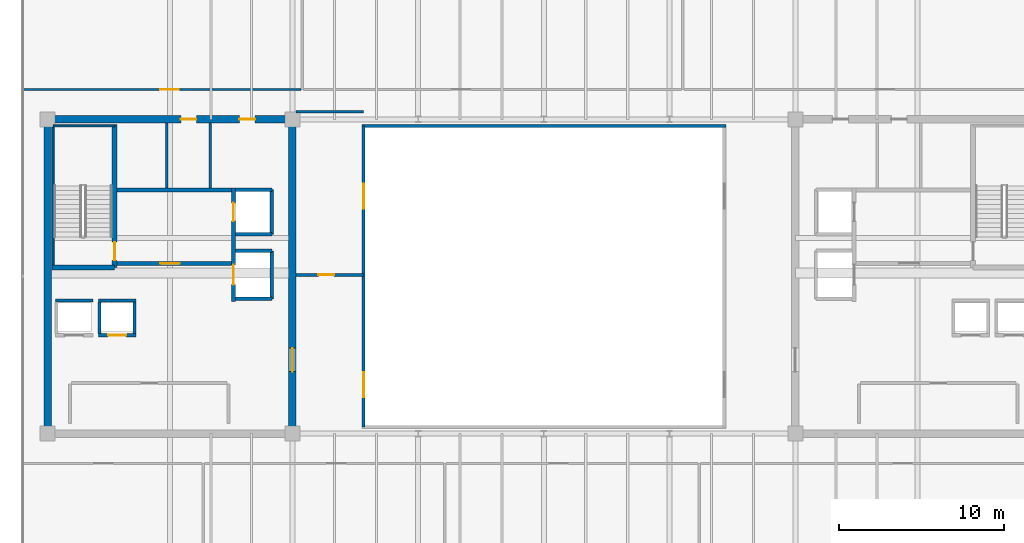
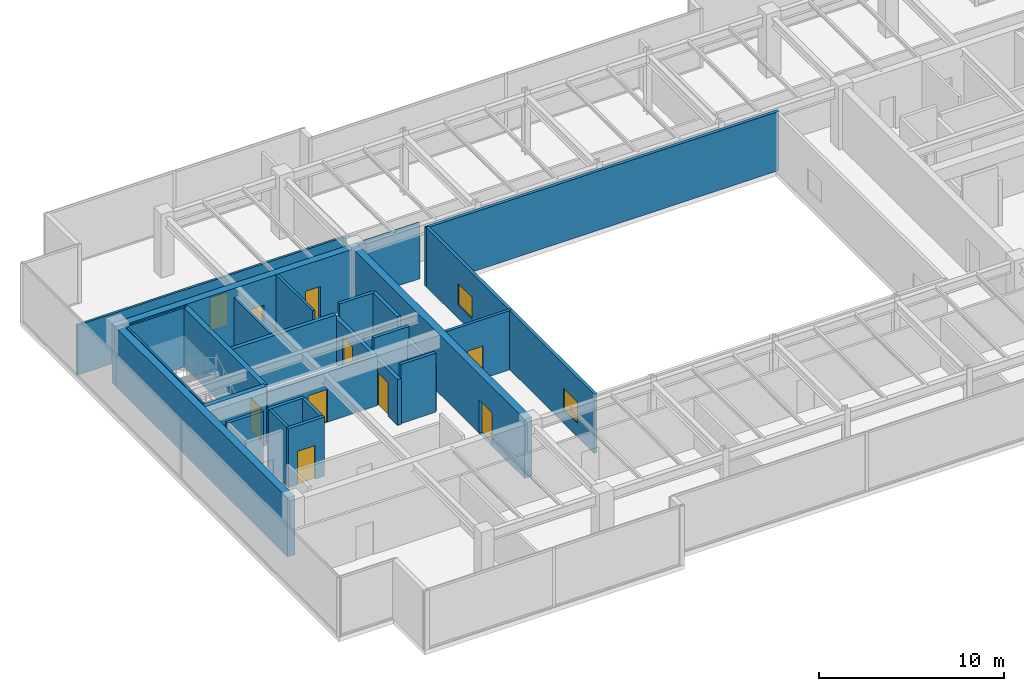
# One storey, part 27 of 31: 28 walls, 10 doors, 2 windows, 12 openings.
"""IFC4 building model written with IfcOpenShell, lengths in metres."""

from ifc_helpers import new_model, si_unit, direction, frame, frame_2d, origin, place, context, subcontext, project, spatial, rectangle, extrude, source, transform, mapped, material, layer, layer_set, type_object, type_shapes, element, fill, save


model = new_model("IFC4")

# Units and contexts
model_context = context("Model", 3, precision=1e-05, world=origin(), true_north=direction((0.0, 1.0)))
body_context = subcontext(model_context, "Body", "Model", "MODEL_VIEW")
ifc_project = project(units=[si_unit("LENGTHUNIT", "METRE"), si_unit("AREAUNIT", "SQUARE_METRE"), si_unit("VOLUMEUNIT", "CUBIC_METRE"), si_unit("PLANEANGLEUNIT", "RADIAN"), si_unit("MASSUNIT", "GRAM", prefix="KILO")], contexts=[model_context])

# Site, building, storey
site_placement = place(None, origin())
site = spatial("IfcSite", under=ifc_project, at=site_placement, CompositionType="ELEMENT")
building_placement = place(site_placement, origin())
building = spatial("IfcBuilding", under=site, at=building_placement, Name="Haelvirn Gate Laboratories", CompositionType="ELEMENT")
storey_placement = place(building_placement, frame((0.0, 0.0, 318.60009765625)))
storey = spatial("IfcBuildingStorey", under=building, at=storey_placement, Name="L76", CompositionType="ELEMENT", Elevation=318.60009765625)

# Wall
ifc_material_1 = material(Name="Fire-rated acoustic gypsum board partition", Category="gypsum")
ifc_layer_1 = layer(ifc_material_1, 0.175048828125, Name="IW-ACOUST-180")
ifc_layer_set_1 = layer_set([ifc_layer_1], Name="Fire-rated acoustic gypsum board partition")
wall_type_1 = type_object("IfcWallType", Name="IW-ACOUST-180", PredefinedType="PARTITIONING", material=ifc_layer_set_1)
wall_1_placement = place(storey_placement, frame((22.425048828125, 34.260009765625, 0.0), z_axis=(0.0, 0.0, 1.0), x_axis=(1.0, 0.0, 0.0)))
element("IfcWall", 1, at=wall_1_placement, inside=storey, type_object=wall_type_1, Name="L76 Interior Wall IW-L76-WPOD-N", PredefinedType="PARTITIONING", context=body_context, shape_type="SweptSolid", body=[
    extrude(rectangle(XDim=4.074951171875, YDim=0.175048828125, at=frame_2d((2.03759765625, 0.0))), origin(), (0.0, 0.0, 1.0), 3.635009765625),
])

# Wall, opening, door
wall_2_placement = place(storey_placement, frame((22.425048828125, 24.39990234375, 0.0), z_axis=(0.0, 0.0, 1.0), x_axis=(1.0, 0.0, 0.0)))
wall_2 = element("IfcWall", 2, at=wall_2_placement, inside=storey, type_object=wall_type_1, Name="L76 Interior Wall IW-L76-WPOD-S", PredefinedType="PARTITIONING", context=body_context, shape_type="SweptSolid", body=[
    extrude(rectangle(XDim=4.074951171875, YDim=0.175048828125, at=frame_2d((2.03759765625, 0.0))), origin(), (0.0, 0.0, 1.0), 3.89990234375),
])
opening_1_placement = place(wall_2_placement, frame((1.35009765625, 0.0, 0.0)))
opening_1 = element("IfcOpeningElement", 3, at=opening_1_placement, cuts=wall_2, Name="Opening FD4", PredefinedType="OPENING", context=body_context, shape_type="SweptSolid", body=[
    extrude(rectangle(XDim=0.949951171875, YDim=2.14990234375, at=frame_2d((0.47509765625, 1.074951171875))), frame((0.0, 0.09765625, 0.0), z_axis=(0.0, -1.0, 0.0), x_axis=(1.0, 0.0, 0.0)), (0.0, 0.0, 1.0), 0.195068359375),
])
ifc_material_2 = material(Name="Fire-rated steel SM355 core service door", Category="steel")
door_type_1 = type_object("IfcDoorType", Name="DR-FD-950", OperationType="NOTDEFINED", PredefinedType="DOOR", material=ifc_material_2)
shared_shape_1 = source(origin(), body_context, "Body", "SweptSolid", [
    extrude(rectangle(XDim=0.949951171875, YDim=2.14990234375, at=frame_2d((0.47509765625, 1.074951171875))), frame((0.0, 0.02490234375, 0.0), z_axis=(0.0, -1.0, 0.0), x_axis=(1.0, 0.0, 0.0)), (0.0, 0.0, 1.0), 0.050048828125),
])
type_shapes(door_type_1, [shared_shape_1])
door_1_placement = place(opening_1_placement, origin())
door_1 = element("IfcDoor", 4, at=door_1_placement, inside=storey, type_object=door_type_1, Name="L76 High-Zone Computational Suite Door", OperationType="SINGLE_SWING_RIGHT", OverallHeight=2.14990234375, OverallWidth=0.949951171875, PredefinedType="DOOR", context=body_context, shape_type="MappedRepresentation", body=[
    mapped(shared_shape_1, transform((0.0, 0.0, 0.0), scale=1.0)),
])
fill(opening_1, door_1)

# Wall, openings, windows
ifc_material_3 = material(Name="Tempered fire-rated borosilicate glass & anodised aluminium", Category="aluminium")
ifc_layer_2 = layer(ifc_material_3, 0.195068359375, Name="IW-GLAZ-200")
ifc_layer_set_2 = layer_set([ifc_layer_2], Name="Tempered fire-rated borosilicate glass & anodised aluminium")
wall_type_2 = type_object("IfcWallType", Name="IW-GLAZ-200", PredefinedType="SOLIDWALL", material=ifc_layer_set_2)
wall_3_placement = place(storey_placement, frame((26.5, 15.199951171875, 0.0), z_axis=(0.0, 0.0, 1.0), x_axis=(0.0, 1.0, 0.0)))
wall_3 = element("IfcWall", 5, at=wall_3_placement, inside=storey, type_object=wall_type_2, Name="L76 Interior Wall IW-L76-ATRIUM-W", PredefinedType="SOLIDWALL", context=body_context, shape_type="SweptSolid", body=[
    extrude(rectangle(XDim=18.199951171875, YDim=0.195068359375, at=frame_2d((9.10009765625, 0.0))), origin(), (0.0, 0.0, 1.0), 3.89990234375),
])
opening_2_placement = place(wall_3_placement, frame((1.800048828125, 0.0, 0.89990234375)))
opening_2 = element("IfcOpeningElement", 6, at=opening_2_placement, cuts=wall_3, Name="Opening W5", PredefinedType="OPENING", context=body_context, shape_type="SweptSolid", body=[
    extrude(rectangle(XDim=1.5, YDim=1.39990234375, at=frame_2d((0.75, 0.699951171875))), frame((0.0, 0.107421875, 0.0), z_axis=(0.0, -1.0, 0.0), x_axis=(1.0, 0.0, 0.0)), (0.0, 0.0, 1.0), 0.215087890625),
])
opening_3_placement = place(wall_3_placement, frame((13.199951171875, 0.0, 0.89990234375)))
opening_3 = element("IfcOpeningElement", 7, at=opening_3_placement, cuts=wall_3, Name="Opening W5", PredefinedType="OPENING", context=body_context, shape_type="SweptSolid", body=[
    extrude(rectangle(XDim=1.5, YDim=1.39990234375, at=frame_2d((0.75, 0.699951171875))), frame((0.0, 0.107421875, 0.0), z_axis=(0.0, -1.0, 0.0), x_axis=(1.0, 0.0, 0.0)), (0.0, 0.0, 1.0), 0.215087890625),
])
ifc_material_4 = material(Name="Fire-rated EI 120 borosilicate atrium vision glazing", Category="glass")
window_type = type_object("IfcWindowType", Name="WN-ATR-1500", PartitioningType="SINGLE_PANEL", PredefinedType="WINDOW", material=ifc_material_4)
shared_shape_2 = source(origin(), body_context, "Body", "SweptSolid", [
    extrude(rectangle(XDim=1.5, YDim=1.39990234375, at=frame_2d((0.75, 0.699951171875))), frame((0.0, 0.030029296875, 0.0), z_axis=(0.0, -1.0, 0.0), x_axis=(1.0, 0.0, 0.0)), (0.0, 0.0, 1.0), 0.06005859375),
])
type_shapes(window_type, [shared_shape_2])
window_1_placement = place(opening_2_placement, origin())
window_1 = element("IfcWindow", 8, at=window_1_placement, inside=storey, type_object=window_type, Name="L76 Atrium Observation Window 1", OverallHeight=1.39990234375, OverallWidth=1.5, PartitioningType="SINGLE_PANEL", PredefinedType="WINDOW", context=body_context, shape_type="MappedRepresentation", body=[
    mapped(shared_shape_2, transform((0.0, 0.0, 0.0), scale=1.0)),
])
fill(opening_2, window_1)
window_2_placement = place(opening_3_placement, origin())
window_2 = element("IfcWindow", 9, at=window_2_placement, inside=storey, type_object=window_type, Name="L76 Atrium Observation Window 2", OverallHeight=1.39990234375, OverallWidth=1.5, PartitioningType="SINGLE_PANEL", PredefinedType="WINDOW", context=body_context, shape_type="MappedRepresentation", body=[
    mapped(shared_shape_2, transform((0.0, 0.0, 0.0), scale=1.0)),
])
fill(opening_3, window_2)

# Wall
wall_4_placement = place(storey_placement, frame((26.39990234375, 33.39990234375, 0.0), z_axis=(0.0, 0.0, 1.0), x_axis=(1.0, 0.0, 0.0)))
element("IfcWall", 10, at=wall_4_placement, inside=storey, type_object=wall_type_2, Name="L76 Interior Wall IW-L76-ATRIUM-N", PredefinedType="SOLIDWALL", context=body_context, shape_type="SweptSolid", body=[
    extrude(rectangle(XDim=22.0, YDim=0.195068359375, at=frame_2d((11.0, 0.0))), origin(), (0.0, 0.0, 1.0), 3.89990234375),
])

# Wall, opening, door
ifc_material_5 = material(Name="Acoustic mineral-wool gypsum board partition", Category="gypsum")
ifc_layer_3 = layer(ifc_material_5, 0.139892578125, Name="IW-PART-140")
ifc_layer_set_3 = layer_set([ifc_layer_3], Name="Acoustic mineral-wool gypsum board partition")
wall_type_3 = type_object("IfcWallType", Name="IW-PART-140", PredefinedType="PARTITIONING", material=ifc_layer_set_3)
wall_5_placement = place(storey_placement, frame((5.909912109375, 35.60498046875, 0.0), z_axis=(0.0, 0.0, 1.0), x_axis=(1.0, 0.0, 0.0)))
wall_5 = element("IfcWall", 11, at=wall_5_placement, inside=storey, type_object=wall_type_3, Name="L76 Interior Wall IW-L76-NCORR-01", PredefinedType="PARTITIONING", context=body_context, shape_type="SweptSolid", body=[
    extrude(rectangle(XDim=16.81005859375, YDim=0.139892578125, at=frame_2d((8.405029296875, 0.0))), origin(), (0.0, 0.0, 1.0), 3.296875),
])
opening_4_placement = place(wall_5_placement, frame((8.305419921875, 0.0, 0.0)))
opening_4 = element("IfcOpeningElement", 12, at=opening_4_placement, cuts=wall_5, Name="Opening D1", PredefinedType="OPENING", context=body_context, shape_type="SweptSolid", body=[
    extrude(rectangle(XDim=1.10009765625, YDim=2.179931640625, at=frame_2d((0.550048828125, 1.08984375))), frame((0.0, 0.080078125, 0.0), z_axis=(0.0, -1.0, 0.0), x_axis=(1.0, 0.0, 0.0)), (0.0, 0.0, 1.0), 0.159912109375),
])
ifc_material_6 = material(Name="Vision-panel acoustic solid-core timber lab door", Category="wood")
door_type_2 = type_object("IfcDoorType", Name="DR-LAB-1100", OperationType="NOTDEFINED", PredefinedType="DOOR", material=ifc_material_6)
shared_shape_3 = source(origin(), body_context, "Body", "SweptSolid", [
    extrude(rectangle(XDim=1.10009765625, YDim=2.179931640625, at=frame_2d((0.550048828125, 1.08984375))), frame((0.0, 0.02490234375, 0.0), z_axis=(0.0, -1.0, 0.0), x_axis=(1.0, 0.0, 0.0)), (0.0, 0.0, 1.0), 0.050048828125),
])
type_shapes(door_type_2, [shared_shape_3])
door_2_placement = place(opening_4_placement, origin())
door_2 = element("IfcDoor", 13, at=door_2_placement, inside=storey, type_object=door_type_2, Name="L76 Peer-Review Seminar Room Door N1", OperationType="SINGLE_SWING_RIGHT", OverallHeight=2.179931640625, OverallWidth=1.10009765625, PredefinedType="DOOR", context=body_context, shape_type="MappedRepresentation", body=[
    mapped(shared_shape_3, transform((0.0, 0.0, 0.0), scale=1.0)),
])
fill(opening_4, door_2)

# Walls
ifc_material_7 = material(Name="Cement-board restroom plumbing chase wall", Category="gypsum")
ifc_layer_4 = layer(ifc_material_7, 0.155029296875, Name="IW-PLUMB-160")
ifc_layer_set_4 = layer_set([ifc_layer_4], Name="Cement-board restroom plumbing chase wall")
wall_type_4 = type_object("IfcWallType", Name="IW-PLUMB-160", PredefinedType="PLUMBINGWALL", material=ifc_layer_set_4)
wall_6_placement = place(storey_placement, frame((14.610107421875, 29.64990234375, 0.0), z_axis=(0.0, 0.0, 1.0), x_axis=(0.0, 1.0, 0.0)))
element("IfcWall", 14, at=wall_6_placement, inside=storey, type_object=wall_type_4, Name="L76 Interior Wall IW-L76-W-CDIV-0", PredefinedType="PLUMBINGWALL", context=body_context, shape_type="SweptSolid", body=[
    extrude(rectangle(XDim=3.93017578125, YDim=0.155029296875, at=frame_2d((1.965087890625, 0.0))), origin(), (0.0, 0.0, 1.0), 3.296875),
])
wall_7_placement = place(storey_placement, frame((17.239990234375, 29.64990234375, 0.0), z_axis=(0.0, 0.0, 1.0), x_axis=(0.0, 1.0, 0.0)))
element("IfcWall", 15, at=wall_7_placement, inside=storey, type_object=wall_type_4, Name="L76 Interior Wall IW-L76-W-CDIV-1", PredefinedType="PLUMBINGWALL", context=body_context, shape_type="SweptSolid", body=[
    extrude(rectangle(XDim=3.93017578125, YDim=0.155029296875, at=frame_2d((1.965087890625, 0.0))), origin(), (0.0, 0.0, 1.0), 3.89990234375),
])
ifc_material_8 = material(Name="Concrete C40/50", Category="concrete")
ifc_layer_5 = layer(ifc_material_8, 0.179931640625, Name="IW-SHAFT-180")
ifc_layer_set_5 = layer_set([ifc_layer_5], Name="Concrete C40/50")
wall_type_5 = type_object("IfcWallType", Name="IW-SHAFT-180", PredefinedType="SOLIDWALL", material=ifc_layer_set_5)
for number, where, z_axis, x_axis, name in (
    (16, (10.550048828125, 20.85009765625, 0.0), (0.0, 0.0, 1.0), (0.0, 1.0, 0.0), "L76 Interior Wall IW-L76-PL10-SD"),
    (17, (12.64990234375, 20.85009765625, 0.0), (0.0, 0.0, 1.0), (0.0, 1.0, 0.0), "L76 Interior Wall IW-L76-PL10-SDE"),
):
    element("IfcWall", number, at=place(storey_placement, frame(where, z_axis=z_axis, x_axis=x_axis)), inside=storey, type_object=wall_type_5, Name=name, PredefinedType="SOLIDWALL", context=body_context, shape_type="SweptSolid", body=[
        extrude(rectangle(XDim=1.89990234375, YDim=0.179931640625, at=frame_2d((0.949951171875, 0.0))), origin(), (0.0, 0.0, 1.0), 3.89990234375),
    ])
ifc_layer_6 = layer(ifc_material_8, 0.199951171875, Name="IW-SHAFT-200")
ifc_layer_set_6 = layer_set([ifc_layer_6], Name="Concrete C40/50")
wall_type_6 = type_object("IfcWallType", Name="IW-SHAFT-200", PredefinedType="SOLIDWALL", material=ifc_layer_set_6)
wall_8_placement = place(storey_placement, frame((7.8701171875, 22.85009765625, 0.0), z_axis=(0.0, 0.0, 1.0), x_axis=(1.0, 0.0, 0.0)))
element("IfcWall", 18, at=wall_8_placement, inside=storey, type_object=wall_type_6, Name="L76 Interior Wall IW-L76-PL9-BK", PredefinedType="SOLIDWALL", context=body_context, shape_type="SweptSolid", body=[
    extrude(rectangle(XDim=2.259765625, YDim=0.199951171875, at=frame_2d((1.1298828125, 0.0))), origin(), (0.0, 0.0, 1.0), 3.89990234375),
])

# Wall, opening, door
wall_9_placement = place(storey_placement, frame((10.469970703125, 20.75, 0.0), z_axis=(0.0, 0.0, 1.0), x_axis=(1.0, 0.0, 0.0)))
wall_9 = element("IfcWall", 19, at=wall_9_placement, inside=storey, type_object=wall_type_6, Name="L76 Interior Wall IW-L76-PL10-FR", PredefinedType="SOLIDWALL", context=body_context, shape_type="SweptSolid", body=[
    extrude(rectangle(XDim=2.260009765625, YDim=0.199951171875, at=frame_2d((1.1298828125, 0.0))), origin(), (0.0, 0.0, 1.0), 3.89990234375),
])
opening_5_placement = place(wall_9_placement, frame((0.580078125, 0.0, 0.0)))
opening_5 = element("IfcOpeningElement", 20, at=opening_5_placement, cuts=wall_9, Name="Opening LD2", PredefinedType="OPENING", context=body_context, shape_type="SweptSolid", body=[
    extrude(rectangle(XDim=1.10009765625, YDim=2.219970703125, at=frame_2d((0.550048828125, 1.10986328125))), frame((0.0, 0.10986328125, 0.0), z_axis=(0.0, -1.0, 0.0), x_axis=(1.0, 0.0, 0.0)), (0.0, 0.0, 1.0), 0.219970703125),
])
ifc_material_9 = material(Name="Bronze stainless 316L sliding lift landing door")
door_type_3 = type_object("IfcDoorType", Name="DR-LD-1100", OperationType="NOTDEFINED", PredefinedType="USERDEFINED", material=ifc_material_9)
shared_shape_4 = source(origin(), body_context, "Body", "SweptSolid", [
    extrude(rectangle(XDim=1.10009765625, YDim=2.219970703125, at=frame_2d((0.550048828125, 1.10986328125))), frame((0.0, 0.02490234375, 0.0), z_axis=(0.0, -1.0, 0.0), x_axis=(1.0, 0.0, 0.0)), (0.0, 0.0, 1.0), 0.050048828125),
])
type_shapes(door_type_3, [shared_shape_4])
door_3_placement = place(opening_5_placement, origin())
door_3 = element("IfcDoor", 21, at=door_3_placement, inside=storey, type_object=door_type_3, Name="L76 Passenger Lift PL10 Landing Door", ObjectType="LANDING_DOOR", OperationType="SLIDING_TO_RIGHT", OverallHeight=2.219970703125, OverallWidth=1.10009765625, PredefinedType="USERDEFINED", context=body_context, shape_type="MappedRepresentation", body=[
    mapped(shared_shape_4, transform((0.0, 0.0, 0.0), scale=1.0)),
])
fill(opening_5, door_3)

# Walls
wall_10_placement = place(storey_placement, frame((10.469970703125, 22.85009765625, 0.0), z_axis=(0.0, 0.0, 1.0), x_axis=(1.0, 0.0, 0.0)))
element("IfcWall", 22, at=wall_10_placement, inside=storey, type_object=wall_type_6, Name="L76 Interior Wall IW-L76-PL10-BK", PredefinedType="SOLIDWALL", context=body_context, shape_type="SweptSolid", body=[
    extrude(rectangle(XDim=2.260009765625, YDim=0.199951171875, at=frame_2d((1.1298828125, 0.0))), origin(), (0.0, 0.0, 1.0), 3.89990234375),
])
wall_11_placement = place(storey_placement, frame((20.949951171875, 26.85009765625, 0.0), z_axis=(0.0, 0.0, 1.0), x_axis=(0.0, 1.0, 0.0)))
element("IfcWall", 23, at=wall_11_placement, inside=storey, type_object=wall_type_6, Name="L76 Interior Wall IW-L76-FL1-BK", PredefinedType="SOLIDWALL", context=body_context, shape_type="SweptSolid", body=[
    extrude(rectangle(XDim=2.699951171875, YDim=0.199951171875, at=frame_2d((1.35009765625, 0.0))), origin(), (0.0, 0.0, 1.0), 3.89990234375),
])
wall_12_placement = place(storey_placement, frame((18.760009765625, 29.550048828125, 0.0), z_axis=(0.0, 0.0, 1.0), x_axis=(1.0, 0.0, 0.0)))
element("IfcWall", 24, at=wall_12_placement, inside=storey, type_object=wall_type_6, Name="L76 Interior Wall IW-L76-FL1-N", PredefinedType="SOLIDWALL", context=body_context, shape_type="SweptSolid", body=[
    extrude(rectangle(XDim=2.18994140625, YDim=0.199951171875, at=frame_2d((1.094970703125, 0.0))), origin(), (0.0, 0.0, 1.0), 3.89990234375),
])
wall_13_placement = place(storey_placement, frame((18.760009765625, 26.85009765625, 0.0), z_axis=(0.0, 0.0, 1.0), x_axis=(1.0, 0.0, 0.0)))
element("IfcWall", 25, at=wall_13_placement, inside=storey, type_object=wall_type_6, Name="L76 Interior Wall IW-L76-FL1-S", PredefinedType="SOLIDWALL", context=body_context, shape_type="SweptSolid", body=[
    extrude(rectangle(XDim=2.18994140625, YDim=0.199951171875, at=frame_2d((1.094970703125, 0.0))), origin(), (0.0, 0.0, 1.0), 3.296875),
])
wall_14_placement = place(storey_placement, frame((20.949951171875, 22.949951171875, 0.0), z_axis=(0.0, 0.0, 1.0), x_axis=(0.0, 1.0, 0.0)))
element("IfcWall", 26, at=wall_14_placement, inside=storey, type_object=wall_type_6, Name="L76 Interior Wall IW-L76-SL1-BK", PredefinedType="SOLIDWALL", context=body_context, shape_type="SweptSolid", body=[
    extrude(rectangle(XDim=2.900146484375, YDim=0.199951171875, at=frame_2d((1.4501953125, 0.0))), origin(), (0.0, 0.0, 1.0), 3.034912109375),
])
for number, where, z_axis, x_axis, name in (
    (27, (18.760009765625, 25.85009765625, 0.0), (0.0, 0.0, 1.0), (1.0, 0.0, 0.0), "L76 Interior Wall IW-L76-SL1-N"),
    (28, (18.760009765625, 22.949951171875, 0.0), (0.0, 0.0, 1.0), (1.0, 0.0, 0.0), "L76 Interior Wall IW-L76-SL1-S"),
):
    element("IfcWall", number, at=place(storey_placement, frame(where, z_axis=z_axis, x_axis=x_axis)), inside=storey, type_object=wall_type_6, Name=name, PredefinedType="SOLIDWALL", context=body_context, shape_type="SweptSolid", body=[
        extrude(rectangle(XDim=2.18994140625, YDim=0.199951171875, at=frame_2d((1.094970703125, 0.0))), origin(), (0.0, 0.0, 1.0), 3.89990234375),
    ])

# Wall, opening, door
ifc_layer_7 = layer(ifc_material_8, 0.239990234375, Name="IW-SHAFT-240")
ifc_layer_set_7 = layer_set([ifc_layer_7], Name="Concrete C40/50")
wall_type_7 = type_object("IfcWallType", Name="IW-SHAFT-240", PredefinedType="SOLIDWALL", material=ifc_layer_set_7)
wall_15_placement = place(storey_placement, frame((11.60009765625, 25.080078125, 0.0), z_axis=(0.0, 0.0, 1.0), x_axis=(1.0, 0.0, 0.0)))
wall_15 = element("IfcWall", 29, at=wall_15_placement, inside=storey, type_object=wall_type_7, Name="L76 Interior Wall IW-L76-W-FF-S", PredefinedType="SOLIDWALL", context=body_context, shape_type="SweptSolid", body=[
    extrude(rectangle(XDim=6.919921875, YDim=0.239990234375, at=frame_2d((3.4599609375, 0.0))), origin(), (0.0, 0.0, 1.0), 3.296875),
])
opening_6_placement = place(wall_15_placement, frame((2.60009765625, 0.0, 0.0)))
opening_6 = element("IfcOpeningElement", 30, at=opening_6_placement, cuts=wall_15, Name="Opening FD2", PredefinedType="OPENING", context=body_context, shape_type="SweptSolid", body=[
    extrude(rectangle(XDim=1.199951171875, YDim=2.159912109375, at=frame_2d((0.60009765625, 1.080078125))), frame((0.0, 0.1298828125, 0.0), z_axis=(0.0, -1.0, 0.0), x_axis=(1.0, 0.0, 0.0)), (0.0, 0.0, 1.0), 0.260009765625),
])
ifc_material_10 = material(Name="Fire-rated steel SM355 compartment door", Category="steel")
door_type_4 = type_object("IfcDoorType", Name="DR-FD-1200", OperationType="NOTDEFINED", PredefinedType="DOOR", material=ifc_material_10)
shared_shape_5 = source(origin(), body_context, "Body", "SweptSolid", [
    extrude(rectangle(XDim=1.199951171875, YDim=2.159912109375, at=frame_2d((0.60009765625, 1.080078125))), frame((0.0, 0.02490234375, 0.0), z_axis=(0.0, -1.0, 0.0), x_axis=(1.0, 0.0, 0.0)), (0.0, 0.0, 1.0), 0.050048828125),
])
type_shapes(door_type_4, [shared_shape_5])
door_4_placement = place(opening_6_placement, origin())
door_4 = element("IfcDoor", 31, at=door_4_placement, inside=storey, type_object=door_type_4, Name="L76 West Firefighting Lobby Door", OperationType="SINGLE_SWING_RIGHT", OverallHeight=2.159912109375, OverallWidth=1.199951171875, PredefinedType="DOOR", context=body_context, shape_type="MappedRepresentation", body=[
    mapped(shared_shape_5, transform((0.0, 0.0, 0.0), scale=1.0)),
])
fill(opening_6, door_4)

# Wall
wall_16_placement = place(storey_placement, frame((11.60009765625, 29.52001953125, 0.0), z_axis=(0.0, 0.0, 1.0), x_axis=(1.0, 0.0, 0.0)))
element("IfcWall", 32, at=wall_16_placement, inside=storey, type_object=wall_type_7, Name="L76 Interior Wall IW-L76-W-FF-N", PredefinedType="SOLIDWALL", context=body_context, shape_type="SweptSolid", body=[
    extrude(rectangle(XDim=6.919921875, YDim=0.239990234375, at=frame_2d((3.4599609375, 0.0))), origin(), (0.0, 0.0, 1.0), 3.296875),
])

# Wall, openings, doors
wall_17_placement = place(storey_placement, frame((18.639892578125, 22.800048828125, 0.0), z_axis=(0.0, 0.0, 1.0), x_axis=(0.0, 1.0, 0.0)))
wall_17 = element("IfcWall", 33, at=wall_17_placement, inside=storey, type_object=wall_type_7, Name="L76 Interior Wall IW-L76-W-FF-E", PredefinedType="SOLIDWALL", context=body_context, shape_type="SweptSolid", body=[
    extrude(rectangle(XDim=6.849853515625, YDim=0.239990234375, at=frame_2d((3.4248046875, 0.0))), origin(), (0.0, 0.0, 1.0), 3.034912109375),
])
opening_7_placement = place(wall_17_placement, frame((4.85009765625, 0.0, 0.0)))
opening_7 = element("IfcOpeningElement", 34, at=opening_7_placement, cuts=wall_17, Name="Opening LD2", PredefinedType="OPENING", context=body_context, shape_type="SweptSolid", body=[
    extrude(rectangle(XDim=1.10009765625, YDim=2.219970703125, at=frame_2d((0.550048828125, 1.10986328125))), frame((0.0, 0.1298828125, 0.0), z_axis=(0.0, -1.0, 0.0), x_axis=(1.0, 0.0, 0.0)), (0.0, 0.0, 1.0), 0.260009765625),
])
opening_8_placement = place(wall_17_placement, frame((1.0, 0.0, 0.0)))
opening_8 = element("IfcOpeningElement", 35, at=opening_8_placement, cuts=wall_17, Name="Opening LD1", PredefinedType="OPENING", context=body_context, shape_type="SweptSolid", body=[
    extrude(rectangle(XDim=1.199951171875, YDim=2.219970703125, at=frame_2d((0.60009765625, 1.10986328125))), frame((0.0, 0.1298828125, 0.0), z_axis=(0.0, -1.0, 0.0), x_axis=(1.0, 0.0, 0.0)), (0.0, 0.0, 1.0), 0.260009765625),
])
door_5_placement = place(opening_7_placement, origin())
door_5 = element("IfcDoor", 36, at=door_5_placement, inside=storey, type_object=door_type_3, Name="L76 Firefighting Lift FL1 Landing Door", ObjectType="LANDING_DOOR", OperationType="SLIDING_TO_LEFT", OverallHeight=2.219970703125, OverallWidth=1.10009765625, PredefinedType="USERDEFINED", context=body_context, shape_type="MappedRepresentation", body=[
    mapped(shared_shape_4, transform((0.0, 0.0, 0.0), scale=1.0)),
])
fill(opening_7, door_5)
ifc_material_11 = material(Name="Stainless steel 316L sliding goods landing door", Category="steel")
door_type_5 = type_object("IfcDoorType", Name="DR-LD-1200", OperationType="NOTDEFINED", PredefinedType="USERDEFINED", material=ifc_material_11)
shared_shape_6 = source(origin(), body_context, "Body", "SweptSolid", [
    extrude(rectangle(XDim=1.199951171875, YDim=2.219970703125, at=frame_2d((0.60009765625, 1.10986328125))), frame((0.0, 0.02490234375, 0.0), z_axis=(0.0, -1.0, 0.0), x_axis=(1.0, 0.0, 0.0)), (0.0, 0.0, 1.0), 0.050048828125),
])
type_shapes(door_type_5, [shared_shape_6])
door_6_placement = place(opening_8_placement, origin())
door_6 = element("IfcDoor", 37, at=door_6_placement, inside=storey, type_object=door_type_5, Name="L76 Service Lift SL1 Landing Door", ObjectType="LANDING_DOOR", OperationType="SLIDING_TO_RIGHT", OverallHeight=2.219970703125, OverallWidth=1.199951171875, PredefinedType="USERDEFINED", context=body_context, shape_type="MappedRepresentation", body=[
    mapped(shared_shape_6, transform((0.0, 0.0, 0.0), scale=1.0)),
])
fill(opening_8, door_6)

ifc_material_12 = material(Name="Concrete C50/60", Category="concrete")
ifc_layer_8 = layer(ifc_material_12, 0.449951171875, Name="SW-CORE-450")
ifc_layer_set_8 = layer_set([ifc_layer_8], Name="Concrete C50/60")
wall_type_8 = type_object("IfcWallType", Name="SW-CORE-450", PredefinedType="SHEAR", material=ifc_layer_set_8)
wall_18_placement = place(storey_placement, frame((7.175048828125, 33.800048828125, 0.0), z_axis=(0.0, 0.0, 1.0), x_axis=(1.0, 0.0, 0.0)))
wall_18 = element("IfcWall", 38, at=wall_18_placement, inside=storey, type_object=wall_type_8, Name="L76 W Core Shear Wall N", PredefinedType="SHEAR", context=body_context, shape_type="SweptSolid", body=[
    extrude(rectangle(XDim=15.25, YDim=0.449951171875, at=frame_2d((7.625, 0.0))), origin(), (0.0, 0.0, 1.0), 3.89990234375),
])
opening_9_placement = place(wall_18_placement, frame((8.27490234375, 0.0, 0.0)))
opening_9 = element("IfcOpeningElement", 39, at=opening_9_placement, cuts=wall_18, Name="Opening FD4", PredefinedType="OPENING", context=body_context, shape_type="SweptSolid", body=[
    extrude(rectangle(XDim=0.949951171875, YDim=2.14990234375, at=frame_2d((0.47509765625, 1.074951171875))), frame((0.0, 0.23486328125, 0.0), z_axis=(0.0, -1.0, 0.0), x_axis=(1.0, 0.0, 0.0)), (0.0, 0.0, 1.0), 0.469970703125),
])
opening_10_placement = place(wall_18_placement, frame((11.81494140625, 0.0, 0.0)))
opening_10 = element("IfcOpeningElement", 40, at=opening_10_placement, cuts=wall_18, Name="Opening FD4", PredefinedType="OPENING", context=body_context, shape_type="SweptSolid", body=[
    extrude(rectangle(XDim=0.949951171875, YDim=2.14990234375, at=frame_2d((0.47509765625, 1.074951171875))), frame((0.0, 0.23486328125, 0.0), z_axis=(0.0, -1.0, 0.0), x_axis=(1.0, 0.0, 0.0)), (0.0, 0.0, 1.0), 0.469970703125),
])
door_7_placement = place(opening_9_placement, origin())
door_7 = element("IfcDoor", 41, at=door_7_placement, inside=storey, type_object=door_type_1, Name="L76 Accessible Restroom Fire Door", OperationType="SINGLE_SWING_LEFT", OverallHeight=2.14990234375, OverallWidth=0.949951171875, PredefinedType="DOOR", context=body_context, shape_type="MappedRepresentation", body=[
    mapped(shared_shape_1, transform((0.0, 0.0, 0.0), scale=1.0)),
])
fill(opening_9, door_7)
door_8_placement = place(opening_10_placement, origin())
door_8 = element("IfcDoor", 42, at=door_8_placement, inside=storey, type_object=door_type_1, Name="L76 Staff Restroom Fire Door", OperationType="SINGLE_SWING_RIGHT", OverallHeight=2.14990234375, OverallWidth=0.949951171875, PredefinedType="DOOR", context=body_context, shape_type="MappedRepresentation", body=[
    mapped(shared_shape_1, transform((0.0, 0.0, 0.0), scale=1.0)),
])
fill(opening_10, door_8)

# Wall
wall_19_placement = place(storey_placement, frame((7.39990234375, 15.02490234375, 0.0), z_axis=(0.0, 0.0, 1.0), x_axis=(0.0, 1.0, 0.0)))
element("IfcWall", 43, at=wall_19_placement, inside=storey, type_object=wall_type_8, Name="L76 W Core Shear Wall W", PredefinedType="SHEAR", context=body_context, shape_type="SweptSolid", body=[
    extrude(rectangle(XDim=18.550048828125, YDim=0.449951171875, at=frame_2d((9.27490234375, 0.0))), origin(), (0.0, 0.0, 1.0), 3.89990234375),
])

# Wall, opening, door
wall_20_placement = place(storey_placement, frame((22.199951171875, 15.02490234375, 0.0), z_axis=(0.0, 0.0, 1.0), x_axis=(0.0, 1.0, 0.0)))
wall_20 = element("IfcWall", 44, at=wall_20_placement, inside=storey, type_object=wall_type_8, Name="L76 W Core Shear Wall E", PredefinedType="SHEAR", context=body_context, shape_type="SweptSolid", body=[
    extrude(rectangle(XDim=18.550048828125, YDim=0.449951171875, at=frame_2d((9.27490234375, 0.0))), origin(), (0.0, 0.0, 1.0), 3.89990234375),
])
opening_11_placement = place(wall_20_placement, frame((3.52490234375, 0.0, 0.0)))
opening_11 = element("IfcOpeningElement", 45, at=opening_11_placement, cuts=wall_20, Name="Opening FD1", PredefinedType="OPENING", context=body_context, shape_type="SweptSolid", body=[
    extrude(rectangle(XDim=1.419921875, YDim=2.199951171875, at=frame_2d((0.7099609375, 1.10009765625))), frame((0.0, 0.23486328125, 0.0), z_axis=(0.0, -1.0, 0.0), x_axis=(1.0, 0.0, 0.0)), (0.0, 0.0, 1.0), 0.469970703125),
])
ifc_material_13 = material(Name="Fire-rated double steel SM355 lobby door", Category="steel")
door_type_6 = type_object("IfcDoorType", Name="DR-FD-1400", OperationType="NOTDEFINED", PredefinedType="DOOR", material=ifc_material_13)
shared_shape_7 = source(origin(), body_context, "Body", "SweptSolid", [
    extrude(rectangle(XDim=1.419921875, YDim=2.199951171875, at=frame_2d((0.7099609375, 1.10009765625))), frame((0.0, 0.02490234375, 0.0), z_axis=(0.0, -1.0, 0.0), x_axis=(1.0, 0.0, 0.0)), (0.0, 0.0, 1.0), 0.050048828125),
])
type_shapes(door_type_6, [shared_shape_7])
door_9_placement = place(opening_11_placement, origin())
door_9 = element("IfcDoor", 46, at=door_9_placement, inside=storey, type_object=door_type_6, Name="L76 West Core Lift Lobby Fire Door", OperationType="DOUBLE_DOOR_SINGLE_SWING", OverallHeight=2.199951171875, OverallWidth=1.419921875, PredefinedType="DOOR", context=body_context, shape_type="MappedRepresentation", body=[
    mapped(shared_shape_7, transform((0.0, 0.0, 0.0), scale=1.0)),
])
fill(opening_11, door_9)

# Walls
ifc_layer_9 = layer(ifc_material_12, 0.1201171875, Name="SW-LINER-120")
ifc_layer_set_9 = layer_set([ifc_layer_9], Name="Concrete C50/60")
wall_type_9 = type_object("IfcWallType", Name="SW-LINER-120", PredefinedType="SOLIDWALL", material=ifc_layer_set_9)
wall_21_placement = place(storey_placement, frame((7.72998046875, 33.39990234375, 0.0), z_axis=(0.0, 0.0, 1.0), x_axis=(1.0, 0.0, 0.0)))
element("IfcWall", 47, at=wall_21_placement, inside=storey, type_object=wall_type_9, Name="L76 W Core Stair Shaft Liner Wall N", PredefinedType="SOLIDWALL", context=body_context, shape_type="SweptSolid", body=[
    extrude(rectangle(XDim=3.719970703125, YDim=0.1201171875, at=frame_2d((1.85986328125, 0.0))), origin(), (0.0, 0.0, 1.0), 3.89990234375),
])
wall_22_placement = place(storey_placement, frame((7.72998046875, 25.0, 0.0), z_axis=(0.0, 0.0, 1.0), x_axis=(0.0, 1.0, 0.0)))
element("IfcWall", 48, at=wall_22_placement, inside=storey, type_object=wall_type_9, Name="L76 W Core Stair Shaft Liner Wall OUT", PredefinedType="SOLIDWALL", context=body_context, shape_type="SweptSolid", body=[
    extrude(rectangle(XDim=8.320068359375, YDim=0.1201171875, at=frame_2d((4.16015625, 0.0))), origin(), (0.0, 0.0, 1.0), 3.89990234375),
])

# Wall, opening, door
ifc_layer_10 = layer(ifc_material_12, 0.300048828125, Name="SW-STAIR-300")
ifc_layer_set_10 = layer_set([ifc_layer_10], Name="Concrete C50/60")
wall_type_10 = type_object("IfcWallType", Name="SW-STAIR-300", PredefinedType="SHEAR", material=ifc_layer_set_10)
wall_23_placement = place(storey_placement, frame((11.449951171875, 24.85009765625, 0.0), z_axis=(0.0, 0.0, 1.0), x_axis=(0.0, 1.0, 0.0)))
wall_23 = element("IfcWall", 49, at=wall_23_placement, inside=storey, type_object=wall_type_10, Name="L76 W Core Stair Shaft Structural Wall IN", PredefinedType="SHEAR", context=body_context, shape_type="SweptSolid", body=[
    extrude(rectangle(XDim=8.6298828125, YDim=0.300048828125, at=frame_2d((4.31494140625, 0.0))), origin(), (0.0, 0.0, 1.0), 3.89990234375),
])
opening_12_placement = place(wall_23_placement, frame((0.419921875, 0.0, 0.0)))
opening_12 = element("IfcOpeningElement", 50, at=opening_12_placement, cuts=wall_23, Name="Opening FD3", PredefinedType="OPENING", context=body_context, shape_type="SweptSolid", body=[
    extrude(rectangle(XDim=1.10009765625, YDim=2.14990234375, at=frame_2d((0.550048828125, 1.074951171875))), frame((0.0, 0.16015625, 0.0), z_axis=(0.0, -1.0, 0.0), x_axis=(1.0, 0.0, 0.0)), (0.0, 0.0, 1.0), 0.320068359375),
])
ifc_material_14 = material(Name="Fire-rated steel SM355 escape stair door", Category="steel")
door_type_7 = type_object("IfcDoorType", Name="DR-FD-1100", OperationType="NOTDEFINED", PredefinedType="DOOR", material=ifc_material_14)
shared_shape_8 = source(origin(), body_context, "Body", "SweptSolid", [
    extrude(rectangle(XDim=1.10009765625, YDim=2.14990234375, at=frame_2d((0.550048828125, 1.074951171875))), frame((0.0, 0.02490234375, 0.0), z_axis=(0.0, -1.0, 0.0), x_axis=(1.0, 0.0, 0.0)), (0.0, 0.0, 1.0), 0.050048828125),
])
type_shapes(door_type_7, [shared_shape_8])
door_10_placement = place(opening_12_placement, origin())
door_10 = element("IfcDoor", 51, at=door_10_placement, inside=storey, type_object=door_type_7, Name="L76 Escape Stair ST1 Fire Door", OperationType="SINGLE_SWING_LEFT", OverallHeight=2.14990234375, OverallWidth=1.10009765625, PredefinedType="DOOR", context=body_context, shape_type="MappedRepresentation", body=[
    mapped(shared_shape_8, transform((0.0, 0.0, 0.0), scale=1.0)),
])
fill(opening_12, door_10)

# Wall
wall_24_placement = place(storey_placement, frame((7.64990234375, 24.85009765625, 0.0), z_axis=(0.0, 0.0, 1.0), x_axis=(1.0, 0.0, 0.0)))
element("IfcWall", 52, at=wall_24_placement, inside=storey, type_object=wall_type_10, Name="L76 W Core Stair Shaft Structural Wall S", PredefinedType="SHEAR", context=body_context, shape_type="SweptSolid", body=[
    extrude(rectangle(XDim=3.800048828125, YDim=0.300048828125, at=frame_2d((1.89990234375, 0.0))), origin(), (0.0, 0.0, 1.0), 3.89990234375),
])

save(model, "model.ifc")
